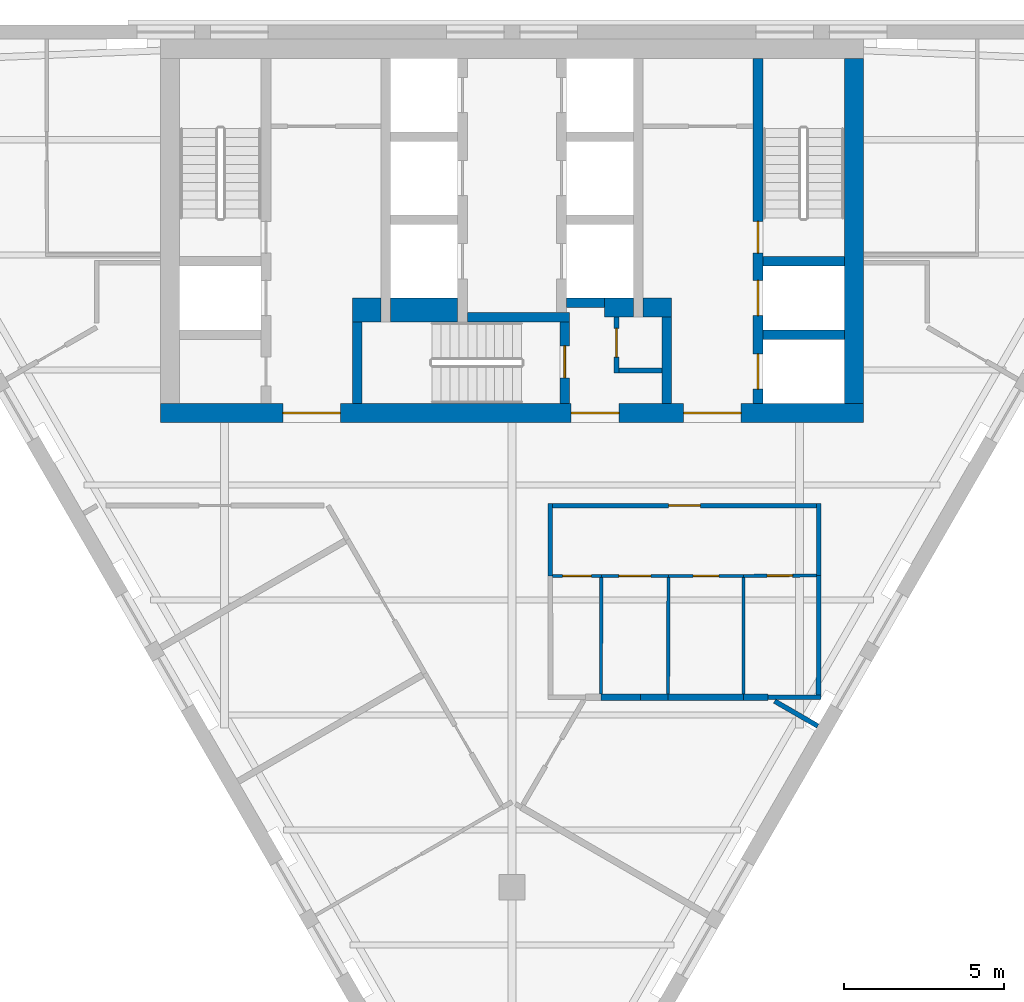
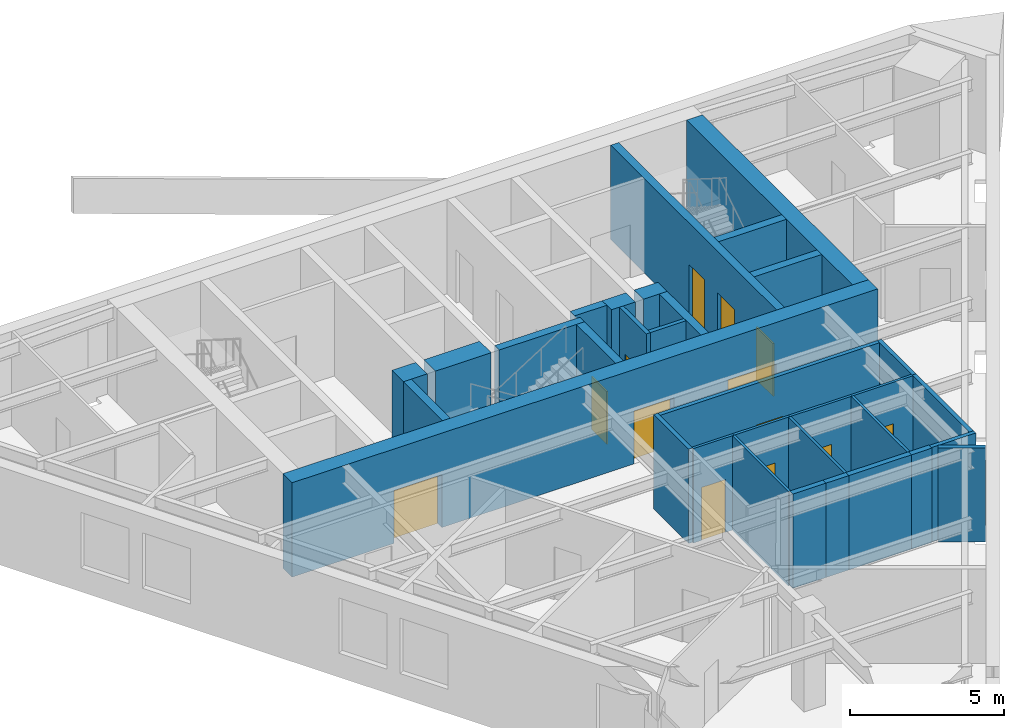
# One storey, part 3 of 6: 33 walls, 13 doors, 13 openings.
"""IFC4 building model written with IfcOpenShell, lengths in metres."""

from ifc_helpers import new_model, si_unit, direction, frame, frame_2d, origin, place, context, subcontext, project, spatial, rectangle, extrude, material, layer, layer_set, type_object, element, fill, save


model = new_model("IFC4")

# Units and contexts
model_context = context("Model", 3, precision=1e-05, world=origin(), true_north=direction((0.0, 1.0)))
body_context = subcontext(model_context, "Body", "Model", "MODEL_VIEW")
ifc_project = project(units=[si_unit("LENGTHUNIT", "METRE"), si_unit("AREAUNIT", "SQUARE_METRE"), si_unit("VOLUMEUNIT", "CUBIC_METRE"), si_unit("PLANEANGLEUNIT", "RADIAN"), si_unit("MASSUNIT", "GRAM", prefix="KILO")], contexts=[model_context])

# Site, building, storey
site_placement = place(None, origin())
site = spatial("IfcSite", under=ifc_project, at=site_placement, CompositionType="ELEMENT")
building_placement = place(site_placement, origin())
building = spatial("IfcBuilding", under=site, at=building_placement, Name="Aloe Facet Convention Tower", CompositionType="ELEMENT")
storey_placement = place(building_placement, frame((0.0, 0.0, 184.10009765625)))
storey = spatial("IfcBuildingStorey", under=building, at=storey_placement, Name="L46", CompositionType="ELEMENT", Elevation=184.10009765625)

# Wall, opening, door
ifc_material_1 = material(Name="Concrete blockwork partition", Category="masonry")
ifc_layer_1 = layer(ifc_material_1, 0.14990234375)
ifc_layer_set_1 = layer_set([ifc_layer_1], Name="CR-W-PART150")
wall_type_1 = type_object("IfcWallType", Name="CR-W-PART150", PredefinedType="PARTITIONING", material=ifc_layer_set_1)
wall_1_placement = place(storey_placement, frame((83.27490234375, 125.85009765625, 0.0), z_axis=(0.0, 0.0, 1.0), x_axis=(0.0, -1.0, 0.0)))
wall_1 = element("IfcWall", 1, at=wall_1_placement, inside=storey, type_object=wall_type_1, Name="Core partition L46-022", PredefinedType="PARTITIONING", context=body_context, shape_type="SweptSolid", body=[
    extrude(rectangle(XDim=1.75, YDim=0.14990234375, at=frame_2d((0.875, 0.0))), origin(), (0.0, 0.0, 1.0), 3.75),
])
opening_1_placement = place(wall_1_placement, frame((0.35009765625, 0.0, 0.0)))
opening_1 = element("IfcOpeningElement", 2, at=opening_1_placement, cuts=wall_1, Name="Opening L46-CD12", PredefinedType="OPENING", context=body_context, shape_type="SweptSolid", body=[
    extrude(rectangle(XDim=0.89990234375, YDim=2.10009765625, at=frame_2d((0.449951171875, 1.050048828125))), frame((0.0, 0.0849609375, 0.0), z_axis=(0.0, -1.0, 0.0), x_axis=(1.0, 0.0, 0.0)), (0.0, 0.0, 1.0), 0.169921875),
])
ifc_material_2 = material(Name="Steel fire-resisting door set FD60", Category="steel")
door_type_1 = type_object("IfcDoorType", Name="CR-D-REFUGE-900-FD60-SRIGHT", OperationType="SINGLE_SWING_RIGHT", PredefinedType="DOOR", material=ifc_material_2)
door_1_placement = place(opening_1_placement, origin())
door_1 = element("IfcDoor", 3, at=door_1_placement, inside=storey, type_object=door_type_1, Name="Core door L46-CD12", OperationType="SINGLE_SWING_RIGHT", OverallHeight=2.10009765625, OverallWidth=0.89990234375, PredefinedType="DOOR", context=body_context, shape_type="SweptSolid", body=[
    extrude(rectangle(XDim=0.89990234375, YDim=2.10009765625, at=frame_2d((0.449951171875, 1.050048828125))), frame((0.0, 0.02490234375, 0.0), z_axis=(0.0, -1.0, 0.0), x_axis=(1.0, 0.0, 0.0)), (0.0, 0.0, 1.0), 0.050048828125),
])
fill(opening_1, door_1)

# Walls
wall_2_placement = place(storey_placement, frame((83.35009765625, 124.175048828125, 0.0), z_axis=(0.0, 0.0, 1.0), x_axis=(1.0, 0.0, 0.0)))
element("IfcWall", 4, at=wall_2_placement, inside=storey, type_object=wall_type_1, Name="Core partition L46-023", PredefinedType="PARTITIONING", context=body_context, shape_type="SweptSolid", body=[
    extrude(rectangle(XDim=1.349853515625, YDim=0.14990234375, at=frame_2d((0.6748046875, 0.0))), origin(), (0.0, 0.0, 1.0), 3.75),
])
ifc_material_3 = material(Name="Concrete C50/60", Category="concrete")
ifc_layer_2 = layer(ifc_material_3, 0.300048828125)
ifc_layer_set_2 = layer_set([ifc_layer_2], Name="CR-W-RC300-C5060")
wall_type_2 = type_object("IfcWallType", Name="CR-W-RC300-C5060", PredefinedType="SOLIDWALL", material=ifc_layer_set_2)
wall_3_placement = place(storey_placement, frame((75.14990234375, 125.699951171875, 0.0), z_axis=(0.0, 0.0, 1.0), x_axis=(0.0, -1.0, 0.0)))
element("IfcWall", 5, at=wall_3_placement, inside=storey, type_object=wall_type_2, Name="Core wall L46-009", PredefinedType="SOLIDWALL", context=body_context, shape_type="SweptSolid", body=[
    extrude(rectangle(XDim=2.550048828125, YDim=0.300048828125, at=frame_2d((1.27490234375, 0.0))), origin(), (0.0, 0.0, 1.0), 3.75),
])
wall_4_placement = place(storey_placement, frame((78.60009765625, 125.85009765625, 0.0), z_axis=(0.0, 0.0, 1.0), x_axis=(1.0, 0.0, 0.0)))
element("IfcWall", 6, at=wall_4_placement, inside=storey, type_object=wall_type_2, Name="Core wall L46-015", PredefinedType="SOLIDWALL", context=body_context, shape_type="SweptSolid", body=[
    extrude(rectangle(XDim=3.199951171875, YDim=0.300048828125, at=frame_2d((1.60009765625, 0.0))), origin(), (0.0, 0.0, 1.0), 3.75),
])

# Wall, opening, door
wall_5_placement = place(storey_placement, frame((81.64990234375, 125.699951171875, 0.0), z_axis=(0.0, 0.0, 1.0), x_axis=(0.0, -1.0, 0.0)))
wall_5 = element("IfcWall", 7, at=wall_5_placement, inside=storey, type_object=wall_type_2, Name="Core wall L46-017", PredefinedType="SOLIDWALL", context=body_context, shape_type="SweptSolid", body=[
    extrude(rectangle(XDim=2.550048828125, YDim=0.300048828125, at=frame_2d((1.27490234375, 0.0))), origin(), (0.0, 0.0, 1.0), 3.75),
])
opening_2_placement = place(wall_5_placement, frame((0.75, 0.0, 0.0)))
opening_2 = element("IfcOpeningElement", 8, at=opening_2_placement, cuts=wall_5, Name="Opening L46-CD18", PredefinedType="OPENING", context=body_context, shape_type="SweptSolid", body=[
    extrude(rectangle(XDim=1.0, YDim=2.10009765625, at=frame_2d((0.5, 1.050048828125))), frame((0.0, 0.16015625, 0.0), z_axis=(0.0, -1.0, 0.0), x_axis=(1.0, 0.0, 0.0)), (0.0, 0.0, 1.0), 0.320068359375),
])
ifc_material_4 = material(Name="Steel fire-resisting door set FD120", Category="steel")
door_type_2 = type_object("IfcDoorType", Name="CR-D-STAIR-1000-FD120-SLEFT", OperationType="SINGLE_SWING_LEFT", PredefinedType="DOOR", material=ifc_material_4)
door_2_placement = place(opening_2_placement, origin())
door_2 = element("IfcDoor", 9, at=door_2_placement, inside=storey, type_object=door_type_2, Name="Core door L46-CD18", OperationType="SINGLE_SWING_LEFT", OverallHeight=2.10009765625, OverallWidth=1.0, PredefinedType="DOOR", context=body_context, shape_type="SweptSolid", body=[
    extrude(rectangle(XDim=1.0, YDim=2.10009765625, at=frame_2d((0.5, 1.050048828125))), frame((0.0, 0.02490234375, 0.0), z_axis=(0.0, -1.0, 0.0), x_axis=(1.0, 0.0, 0.0)), (0.0, 0.0, 1.0), 0.050048828125),
])
fill(opening_2, door_2)

# Walls
wall_6_placement = place(storey_placement, frame((81.699951171875, 126.300048828125, 0.0), z_axis=(0.0, 0.0, 1.0), x_axis=(1.0, 0.0, 0.0)))
element("IfcWall", 10, at=wall_6_placement, inside=storey, type_object=wall_type_2, Name="Core wall L46-020", PredefinedType="SOLIDWALL", context=body_context, shape_type="SweptSolid", body=[
    extrude(rectangle(XDim=1.199951171875, YDim=0.300048828125, at=frame_2d((0.60009765625, 0.0))), origin(), (0.0, 0.0, 1.0), 3.75),
])
wall_7_placement = place(storey_placement, frame((84.85009765625, 125.85009765625, 0.0), z_axis=(0.0, 0.0, 1.0), x_axis=(0.0, -1.0, 0.0)))
element("IfcWall", 11, at=wall_7_placement, inside=storey, type_object=wall_type_2, Name="Core wall L46-027", PredefinedType="SOLIDWALL", context=body_context, shape_type="SweptSolid", body=[
    extrude(rectangle(XDim=2.7001953125, YDim=0.300048828125, at=frame_2d((1.35009765625, 0.0))), origin(), (0.0, 0.0, 1.0), 3.75),
])

# Wall, openings, doors
wall_8_placement = place(storey_placement, frame((87.699951171875, 133.949951171875, 0.0), z_axis=(0.0, 0.0, 1.0), x_axis=(0.0, -1.0, 0.0)))
wall_8 = element("IfcWall", 12, at=wall_8_placement, inside=storey, type_object=wall_type_2, Name="Core wall L46-028", PredefinedType="SOLIDWALL", context=body_context, shape_type="SweptSolid", body=[
    extrude(rectangle(XDim=10.800048828125, YDim=0.300048828125, at=frame_2d((5.39990234375, 0.0))), origin(), (0.0, 0.0, 1.0), 3.75),
])
opening_3_placement = place(wall_8_placement, frame((6.949951171875, 0.0, 0.0)))
opening_3 = element("IfcOpeningElement", 13, at=opening_3_placement, cuts=wall_8, Name="Opening LD-FF2-L46", PredefinedType="OPENING", context=body_context, shape_type="SweptSolid", body=[
    extrude(rectangle(XDim=1.10009765625, YDim=2.10009765625, at=frame_2d((0.550048828125, 1.050048828125))), frame((0.0, 0.16015625, 0.0), z_axis=(0.0, -1.0, 0.0), x_axis=(1.0, 0.0, 0.0)), (0.0, 0.0, 1.0), 0.320068359375),
])
opening_4_placement = place(wall_8_placement, frame((5.10009765625, 0.0, 0.0)))
opening_4 = element("IfcOpeningElement", 14, at=opening_4_placement, cuts=wall_8, Name="Opening L46-CD17", PredefinedType="OPENING", context=body_context, shape_type="SweptSolid", body=[
    extrude(rectangle(XDim=1.0, YDim=2.10009765625, at=frame_2d((0.5, 1.050048828125))), frame((0.0, 0.16015625, 0.0), z_axis=(0.0, -1.0, 0.0), x_axis=(1.0, 0.0, 0.0)), (0.0, 0.0, 1.0), 0.320068359375),
])
opening_5_placement = place(wall_8_placement, frame((9.25, 0.0, 0.0)))
opening_5 = element("IfcOpeningElement", 15, at=opening_5_placement, cuts=wall_8, Name="Opening LD-SV1-L46", PredefinedType="OPENING", context=body_context, shape_type="SweptSolid", body=[
    extrude(rectangle(XDim=1.10009765625, YDim=2.10009765625, at=frame_2d((0.550048828125, 1.050048828125))), frame((0.0, 0.16015625, 0.0), z_axis=(0.0, -1.0, 0.0), x_axis=(1.0, 0.0, 0.0)), (0.0, 0.0, 1.0), 0.320068359375),
])
door_3_placement = place(opening_4_placement, origin())
door_3 = element("IfcDoor", 16, at=door_3_placement, inside=storey, type_object=door_type_2, Name="Core door L46-CD17", OperationType="SINGLE_SWING_LEFT", OverallHeight=2.10009765625, OverallWidth=1.0, PredefinedType="DOOR", context=body_context, shape_type="SweptSolid", body=[
    extrude(rectangle(XDim=1.0, YDim=2.10009765625, at=frame_2d((0.5, 1.050048828125))), frame((0.0, 0.02490234375, 0.0), z_axis=(0.0, -1.0, 0.0), x_axis=(1.0, 0.0, 0.0)), (0.0, 0.0, 1.0), 0.050048828125),
])
fill(opening_4, door_3)
ifc_material_5 = material(Name="Stainless steel sliding landing door", Category="steel")
door_type_3 = type_object("IfcDoorType", Name="CR-LD-1100-FD120-_LEFT", OperationType="SLIDING_TO_LEFT", PredefinedType="DOOR", material=ifc_material_5)
door_4_placement = place(opening_3_placement, origin())
door_4 = element("IfcDoor", 17, at=door_4_placement, inside=storey, type_object=door_type_3, Name="Landing door FF2 L46", OperationType="SLIDING_TO_LEFT", OverallHeight=2.10009765625, OverallWidth=1.10009765625, PredefinedType="DOOR", context=body_context, shape_type="SweptSolid", body=[
    extrude(rectangle(XDim=1.10009765625, YDim=2.10009765625, at=frame_2d((0.550048828125, 1.050048828125))), frame((0.0, 0.02490234375, 0.0), z_axis=(0.0, -1.0, 0.0), x_axis=(1.0, 0.0, 0.0)), (0.0, 0.0, 1.0), 0.050048828125),
])
fill(opening_3, door_4)
door_5_placement = place(opening_5_placement, origin())
door_5 = element("IfcDoor", 18, at=door_5_placement, inside=storey, type_object=door_type_3, Name="Landing door SV1 L46", OperationType="SLIDING_TO_LEFT", OverallHeight=2.10009765625, OverallWidth=1.10009765625, PredefinedType="DOOR", context=body_context, shape_type="SweptSolid", body=[
    extrude(rectangle(XDim=1.10009765625, YDim=2.10009765625, at=frame_2d((0.550048828125, 1.050048828125))), frame((0.0, 0.02490234375, 0.0), z_axis=(0.0, -1.0, 0.0), x_axis=(1.0, 0.0, 0.0)), (0.0, 0.0, 1.0), 0.050048828125),
])
fill(opening_5, door_5)

# Walls
for number, where, z_axis, x_axis, name in (
    (19, (87.85009765625, 127.60009765625, 0.0), (0.0, 0.0, 1.0), (1.0, 0.0, 0.0), "Core wall L46-029"),
    (20, (87.85009765625, 125.300048828125, 0.0), (0.0, 0.0, 1.0), (1.0, 0.0, 0.0), "Core wall L46-030"),
):
    element("IfcWall", number, at=place(storey_placement, frame(where, z_axis=z_axis, x_axis=x_axis)), inside=storey, type_object=wall_type_2, Name=name, PredefinedType="SOLIDWALL", context=body_context, shape_type="SweptSolid", body=[
        extrude(rectangle(XDim=2.5498046875, YDim=0.300048828125, at=frame_2d((1.27490234375, 0.0))), origin(), (0.0, 0.0, 1.0), 3.75),
    ])

# Wall, openings, doors
ifc_material_6 = material(Name="Concrete C50/60", Category="concrete")
ifc_layer_3 = layer(ifc_material_6, 0.60009765625)
ifc_layer_set_3 = layer_set([ifc_layer_3], Name="CR-W-RC600-C5060")
wall_type_3 = type_object("IfcWallType", Name="CR-W-RC600-C5060", PredefinedType="SOLIDWALL", material=ifc_layer_set_3)
wall_9_placement = place(storey_placement, frame((69.0, 122.85009765625, 0.0), z_axis=(0.0, 0.0, 1.0), x_axis=(1.0, 0.0, 0.0)))
wall_9 = element("IfcWall", 21, at=wall_9_placement, inside=storey, type_object=wall_type_3, Name="Core wall L46-003", PredefinedType="SOLIDWALL", context=body_context, shape_type="SweptSolid", body=[
    extrude(rectangle(XDim=22.0, YDim=0.60009765625, at=frame_2d((11.0, 0.0))), origin(), (0.0, 0.0, 1.0), 3.75),
])
opening_6_placement = place(wall_9_placement, frame((16.375, 0.0, 0.0)))
opening_6 = element("IfcOpeningElement", 22, at=opening_6_placement, cuts=wall_9, Name="Opening L46-CD09", PredefinedType="OPENING", context=body_context, shape_type="SweptSolid", body=[
    extrude(rectangle(XDim=1.800048828125, YDim=2.10009765625, at=frame_2d((0.89990234375, 1.050048828125))), frame((0.0, 0.31005859375, 0.0), z_axis=(0.0, -1.0, 0.0), x_axis=(1.0, 0.0, 0.0)), (0.0, 0.0, 1.0), 0.6201171875),
])
opening_7_placement = place(wall_9_placement, frame((3.824951171875, 0.0, 0.0)))
opening_7 = element("IfcOpeningElement", 23, at=opening_7_placement, cuts=wall_9, Name="Opening L46-CD10", PredefinedType="OPENING", context=body_context, shape_type="SweptSolid", body=[
    extrude(rectangle(XDim=1.800048828125, YDim=2.10009765625, at=frame_2d((0.89990234375, 1.050048828125))), frame((0.0, 0.31005859375, 0.0), z_axis=(0.0, -1.0, 0.0), x_axis=(1.0, 0.0, 0.0)), (0.0, 0.0, 1.0), 0.6201171875),
])
opening_8_placement = place(wall_9_placement, frame((12.85009765625, 0.0, 0.0)))
opening_8 = element("IfcOpeningElement", 24, at=opening_8_placement, cuts=wall_9, Name="Opening L46-CD11", PredefinedType="OPENING", context=body_context, shape_type="SweptSolid", body=[
    extrude(rectangle(XDim=1.5, YDim=2.10009765625, at=frame_2d((0.75, 1.050048828125))), frame((0.0, 0.31005859375, 0.0), z_axis=(0.0, -1.0, 0.0), x_axis=(1.0, 0.0, 0.0)), (0.0, 0.0, 1.0), 0.6201171875),
])
ifc_material_7 = material(Name="Steel fire-resisting door set FD60", Category="steel")
door_type_4 = type_object("IfcDoorType", Name="CR-D-EXIT-1500-FD60-DD", OperationType="DOUBLE_DOOR_DOUBLE_SWING", PredefinedType="DOOR", material=ifc_material_7)
door_6_placement = place(opening_8_placement, origin())
door_6 = element("IfcDoor", 25, at=door_6_placement, inside=storey, type_object=door_type_4, Name="Core door L46-CD11", OperationType="DOUBLE_DOOR_DOUBLE_SWING", OverallHeight=2.10009765625, OverallWidth=1.5, PredefinedType="DOOR", context=body_context, shape_type="SweptSolid", body=[
    extrude(rectangle(XDim=1.5, YDim=2.10009765625, at=frame_2d((0.75, 1.050048828125))), frame((0.0, 0.02490234375, 0.0), z_axis=(0.0, -1.0, 0.0), x_axis=(1.0, 0.0, 0.0)), (0.0, 0.0, 1.0), 0.050048828125),
])
fill(opening_8, door_6)
ifc_material_8 = material(Name="Steel fire-resisting door set FD120", Category="steel")
door_type_5 = type_object("IfcDoorType", Name="CR-D-EXIT-1800-FD120-DD", OperationType="DOUBLE_DOOR_DOUBLE_SWING", PredefinedType="DOOR", material=ifc_material_8)
door_7_placement = place(opening_6_placement, origin())
door_7 = element("IfcDoor", 26, at=door_7_placement, inside=storey, type_object=door_type_5, Name="Core door L46-CD09", OperationType="DOUBLE_DOOR_DOUBLE_SWING", OverallHeight=2.10009765625, OverallWidth=1.800048828125, PredefinedType="DOOR", context=body_context, shape_type="SweptSolid", body=[
    extrude(rectangle(XDim=1.800048828125, YDim=2.10009765625, at=frame_2d((0.89990234375, 1.050048828125))), frame((0.0, 0.02490234375, 0.0), z_axis=(0.0, -1.0, 0.0), x_axis=(1.0, 0.0, 0.0)), (0.0, 0.0, 1.0), 0.050048828125),
])
fill(opening_6, door_7)
door_8_placement = place(opening_7_placement, origin())
door_8 = element("IfcDoor", 27, at=door_8_placement, inside=storey, type_object=door_type_5, Name="Core door L46-CD10", OperationType="DOUBLE_DOOR_DOUBLE_SWING", OverallHeight=2.10009765625, OverallWidth=1.800048828125, PredefinedType="DOOR", context=body_context, shape_type="SweptSolid", body=[
    extrude(rectangle(XDim=1.800048828125, YDim=2.10009765625, at=frame_2d((0.89990234375, 1.050048828125))), frame((0.0, 0.02490234375, 0.0), z_axis=(0.0, -1.0, 0.0), x_axis=(1.0, 0.0, 0.0)), (0.0, 0.0, 1.0), 0.050048828125),
])
fill(opening_7, door_8)

# Walls
wall_10_placement = place(storey_placement, frame((82.89990234375, 126.14990234375, 0.0), z_axis=(0.0, 0.0, 1.0), x_axis=(1.0, 0.0, 0.0)))
element("IfcWall", 28, at=wall_10_placement, inside=storey, type_object=wall_type_3, Name="Core wall L46-021", PredefinedType="SOLIDWALL", context=body_context, shape_type="SweptSolid", body=[
    extrude(rectangle(XDim=0.900146484375, YDim=0.60009765625, at=frame_2d((0.4501953125, 0.0))), origin(), (0.0, 0.0, 1.0), 3.75),
])
wall_11_placement = place(storey_placement, frame((84.10009765625, 126.14990234375, 0.0), z_axis=(0.0, 0.0, 1.0), x_axis=(1.0, 0.0, 0.0)))
element("IfcWall", 29, at=wall_11_placement, inside=storey, type_object=wall_type_3, Name="Core wall L46-026", PredefinedType="SOLIDWALL", context=body_context, shape_type="SweptSolid", body=[
    extrude(rectangle(XDim=0.89990234375, YDim=0.60009765625, at=frame_2d((0.449951171875, 0.0))), origin(), (0.0, 0.0, 1.0), 3.75),
])
wall_12_placement = place(storey_placement, frame((90.699951171875, 133.949951171875, 0.0), z_axis=(0.0, 0.0, 1.0), x_axis=(0.0, -1.0, 0.0)))
element("IfcWall", 30, at=wall_12_placement, inside=storey, type_object=wall_type_3, Name="Core wall L46-031", PredefinedType="SOLIDWALL", context=body_context, shape_type="SweptSolid", body=[
    extrude(rectangle(XDim=10.800048828125, YDim=0.60009765625, at=frame_2d((5.39990234375, 0.0))), origin(), (0.0, 0.0, 1.0), 3.75),
])
ifc_material_9 = material(Name="Concrete C50/60", Category="concrete")
ifc_layer_4 = layer(ifc_material_9, 0.75)
ifc_layer_set_4 = layer_set([ifc_layer_4], Name="CR-W-RC750-C5060")
wall_type_4 = type_object("IfcWallType", Name="CR-W-RC750-C5060", PredefinedType="SOLIDWALL", material=ifc_layer_set_4)
wall_13_placement = place(storey_placement, frame((75.0, 126.074951171875, 0.0), z_axis=(0.0, 0.0, 1.0), x_axis=(1.0, 0.0, 0.0)))
element("IfcWall", 31, at=wall_13_placement, inside=storey, type_object=wall_type_4, Name="Core wall L46-008", PredefinedType="SOLIDWALL", context=body_context, shape_type="SweptSolid", body=[
    extrude(rectangle(XDim=0.89990234375, YDim=0.75, at=frame_2d((0.449951171875, 0.0))), origin(), (0.0, 0.0, 1.0), 3.75),
])
wall_14_placement = place(storey_placement, frame((76.199951171875, 126.074951171875, 0.0), z_axis=(0.0, 0.0, 1.0), x_axis=(1.0, 0.0, 0.0)))
element("IfcWall", 32, at=wall_14_placement, inside=storey, type_object=wall_type_4, Name="Core wall L46-013", PredefinedType="SOLIDWALL", context=body_context, shape_type="SweptSolid", body=[
    extrude(rectangle(XDim=2.10009765625, YDim=0.75, at=frame_2d((1.050048828125, 0.0))), origin(), (0.0, 0.0, 1.0), 3.75),
])
ifc_material_10 = material(Name="Gypsum board partition on steel studs", Category="steel")
ifc_layer_5 = layer(ifc_material_10, 0.14990234375)
ifc_layer_set_5 = layer_set([ifc_layer_5], Name="IN-W-CORR")
wall_type_5 = type_object("IfcWallType", Name="IN-W-CORR", PredefinedType="PARTITIONING", material=ifc_layer_set_5)
wall_15_placement = place(storey_placement, frame((88.220703125, 113.830078125, 0.0), z_axis=(0.0, 0.0, 1.0), x_axis=(0.865997745606, -0.500047902311, 0.0)))
element("IfcWall", 33, at=wall_15_placement, inside=storey, type_object=wall_type_5, Name="Partition L46-W007", PredefinedType="PARTITIONING", context=body_context, shape_type="SweptSolid", body=[
    extrude(rectangle(XDim=1.558349609375, YDim=0.14990234375, at=frame_2d((0.779296875, 0.0))), origin(), (0.0, 0.0, 1.0), 3.75),
])
wall_16_placement = place(storey_placement, frame((88.0126953125, 113.949951171875, 0.0), z_axis=(0.0, 0.0, 1.0), x_axis=(1.0, 0.0, 0.0)))
element("IfcWall", 34, at=wall_16_placement, inside=storey, type_object=wall_type_5, Name="Partition L46-W015", PredefinedType="PARTITIONING", context=body_context, shape_type="SweptSolid", body=[
    extrude(rectangle(XDim=1.66015625, YDim=0.14990234375, at=frame_2d((0.830078125, 0.0))), origin(), (0.0, 0.0, 1.0), 3.75),
])
wall_17_placement = place(storey_placement, frame((89.597900390625, 114.02490234375, 0.0), z_axis=(0.0, 0.0, 1.0), x_axis=(0.000588273642, 0.999999826967, 0.0)))
element("IfcWall", 35, at=wall_17_placement, inside=storey, type_object=wall_type_5, Name="Partition L46-W016", PredefinedType="PARTITIONING", context=body_context, shape_type="SweptSolid", body=[
    extrude(rectangle(XDim=3.735107421875, YDim=0.14990234375, at=frame_2d((1.86767578125, 0.0))), origin(), (0.0, 0.0, 1.0), 3.75),
])
wall_18_placement = place(storey_placement, frame((89.60009765625, 117.760009765625, 0.0), z_axis=(0.0, 0.0, 1.0), x_axis=(0.0, 1.0, 0.0)))
element("IfcWall", 36, at=wall_18_placement, inside=storey, type_object=wall_type_5, Name="Partition L46-W019", PredefinedType="PARTITIONING", context=body_context, shape_type="SweptSolid", body=[
    extrude(rectangle(XDim=2.262939453125, YDim=0.14990234375, at=frame_2d((1.13134765625, 0.0))), origin(), (0.0, 0.0, 1.0), 3.75),
])
wall_19_placement = place(storey_placement, frame((81.199951171875, 117.75, 0.0), z_axis=(0.0, 0.0, 1.0), x_axis=(0.0, 1.0, 0.0)))
element("IfcWall", 37, at=wall_19_placement, inside=storey, type_object=wall_type_5, Name="Partition L46-W029", PredefinedType="PARTITIONING", context=body_context, shape_type="SweptSolid", body=[
    extrude(rectangle(XDim=2.27294921875, YDim=0.14990234375, at=frame_2d((1.136474609375, 0.0))), origin(), (0.0, 0.0, 1.0), 3.75),
])

# Wall, opening, door
wall_20_placement = place(storey_placement, frame((81.27490234375, 119.947998046875, 0.0), z_axis=(0.0, 0.0, 1.0), x_axis=(1.0, 0.0, 0.0)))
wall_20 = element("IfcWall", 38, at=wall_20_placement, inside=storey, type_object=wall_type_5, Name="Partition L46-W032", PredefinedType="PARTITIONING", context=body_context, shape_type="SweptSolid", body=[
    extrude(rectangle(XDim=8.25, YDim=0.14990234375, at=frame_2d((4.125, 0.0))), origin(), (0.0, 0.0, 1.0), 3.75),
])
opening_9_placement = place(wall_20_placement, frame((3.625, 0.0, 0.0)))
opening_9 = element("IfcOpeningElement", 39, at=opening_9_placement, cuts=wall_20, Name="Opening L46-001", PredefinedType="OPENING", context=body_context, shape_type="SweptSolid", body=[
    extrude(rectangle(XDim=1.0, YDim=2.10009765625, at=frame_2d((0.5, 1.050048828125))), frame((0.0, 0.0849609375, 0.0), z_axis=(0.0, -1.0, 0.0), x_axis=(1.0, 0.0, 0.0)), (0.0, 0.0, 1.0), 0.169921875),
])
ifc_material_11 = material(Name="Timber door FD30S with vision panel", Category="wood")
door_type_6 = type_object("IfcDoorType", Name="IN-OFF-D-ENTRY", OperationType="SINGLE_SWING_LEFT", PredefinedType="DOOR", material=ifc_material_11)
door_9_placement = place(opening_9_placement, origin())
door_9 = element("IfcDoor", 40, at=door_9_placement, inside=storey, type_object=door_type_6, Name="Door L46-001", OperationType="SINGLE_SWING_LEFT", OverallHeight=2.10009765625, OverallWidth=1.0, PredefinedType="DOOR", context=body_context, shape_type="SweptSolid", body=[
    extrude(rectangle(XDim=1.0, YDim=2.10009765625, at=frame_2d((0.5, 1.050048828125))), frame((0.0, 0.02490234375, 0.0), z_axis=(0.0, -1.0, 0.0), x_axis=(1.0, 0.0, 0.0)), (0.0, 0.0, 1.0), 0.050048828125),
])
fill(opening_9, door_9)

# Wall
ifc_material_12 = material(Name="Gypsum board partition on steel studs", Category="steel")
ifc_layer_6 = layer(ifc_material_12, 0.10009765625)
ifc_layer_set_6 = layer_set([ifc_layer_6], Name="IN-W-PART")
wall_type_6 = type_object("IfcWallType", Name="IN-W-PART", PredefinedType="PARTITIONING", material=ifc_layer_set_6)
wall_21_placement = place(storey_placement, frame((82.786376953125, 114.050048828125, 0.0), z_axis=(0.0, 0.0, 1.0), x_axis=(0.002608686776, 0.999996597371, 0.0)))
element("IfcWall", 41, at=wall_21_placement, inside=storey, type_object=wall_type_6, Name="Partition L46-W020", PredefinedType="PARTITIONING", context=body_context, shape_type="SweptSolid", body=[
    extrude(rectangle(XDim=3.64990234375, YDim=0.10009765625, at=frame_2d((1.824951171875, 0.0))), origin(), (0.0, 0.0, 1.0), 3.75),
])

# Wall, opening, door
wall_22_placement = place(storey_placement, frame((81.27490234375, 117.75, 0.0), z_axis=(0.0, 0.0, 1.0), x_axis=(1.0, 0.0, 0.0)))
wall_22 = element("IfcWall", 42, at=wall_22_placement, inside=storey, type_object=wall_type_6, Name="Partition L46-W021", PredefinedType="PARTITIONING", context=body_context, shape_type="SweptSolid", body=[
    extrude(rectangle(XDim=1.52099609375, YDim=0.10009765625, at=frame_2d((0.760498046875, 0.0))), origin(), (0.0, 0.0, 1.0), 3.75),
])
opening_10_placement = place(wall_22_placement, frame((0.310546875, 0.0, 0.0)))
opening_10 = element("IfcOpeningElement", 43, at=opening_10_placement, cuts=wall_22, Name="Opening L46-002", PredefinedType="OPENING", context=body_context, shape_type="SweptSolid", body=[
    extrude(rectangle(XDim=0.89990234375, YDim=2.10009765625, at=frame_2d((0.449951171875, 1.050048828125))), frame((0.0, 0.06005859375, 0.0), z_axis=(0.0, -1.0, 0.0), x_axis=(1.0, 0.0, 0.0)), (0.0, 0.0, 1.0), 0.1201171875),
])
ifc_material_13 = material(Name="Timber door", Category="wood")
door_type_7 = type_object("IfcDoorType", Name="IN-OFF-D-ROOM", OperationType="SINGLE_SWING_LEFT", PredefinedType="DOOR", material=ifc_material_13)
door_10_placement = place(opening_10_placement, origin())
door_10 = element("IfcDoor", 44, at=door_10_placement, inside=storey, type_object=door_type_7, Name="Door L46-002", OperationType="SINGLE_SWING_LEFT", OverallHeight=2.10009765625, OverallWidth=0.89990234375, PredefinedType="DOOR", context=body_context, shape_type="SweptSolid", body=[
    extrude(rectangle(XDim=0.89990234375, YDim=2.10009765625, at=frame_2d((0.449951171875, 1.050048828125))), frame((0.0, 0.02490234375, 0.0), z_axis=(0.0, -1.0, 0.0), x_axis=(1.0, 0.0, 0.0)), (0.0, 0.0, 1.0), 0.050048828125),
])
fill(opening_10, door_10)

# Wall
wall_23_placement = place(storey_placement, frame((84.88623046875, 114.047119140625, 0.0), z_axis=(0.0, 0.0, 1.0), x_axis=(0.00260659454, 0.999996602827, 0.0)))
element("IfcWall", 45, at=wall_23_placement, inside=storey, type_object=wall_type_6, Name="Partition L46-W022", PredefinedType="PARTITIONING", context=body_context, shape_type="SweptSolid", body=[
    extrude(rectangle(XDim=3.65283203125, YDim=0.10009765625, at=frame_2d((1.826416015625, 0.0))), origin(), (0.0, 0.0, 1.0), 3.75),
])

# Wall, opening, door
wall_24_placement = place(storey_placement, frame((82.7958984375, 117.75, 0.0), z_axis=(0.0, 0.0, 1.0), x_axis=(1.0, 0.0, 0.0)))
wall_24 = element("IfcWall", 46, at=wall_24_placement, inside=storey, type_object=wall_type_6, Name="Partition L46-W023", PredefinedType="PARTITIONING", context=body_context, shape_type="SweptSolid", body=[
    extrude(rectangle(XDim=2.10009765625, YDim=0.10009765625, at=frame_2d((1.050048828125, 0.0))), origin(), (0.0, 0.0, 1.0), 3.75),
])
opening_11_placement = place(wall_24_placement, frame((0.550048828125, 0.0, 0.0)))
opening_11 = element("IfcOpeningElement", 47, at=opening_11_placement, cuts=wall_24, Name="Opening L46-003", PredefinedType="OPENING", context=body_context, shape_type="SweptSolid", body=[
    extrude(rectangle(XDim=1.0, YDim=2.10009765625, at=frame_2d((0.5, 1.050048828125))), frame((0.0, 0.06005859375, 0.0), z_axis=(0.0, -1.0, 0.0), x_axis=(1.0, 0.0, 0.0)), (0.0, 0.0, 1.0), 0.1201171875),
])
ifc_material_14 = material(Name="Timber door", Category="wood")
door_type_8 = type_object("IfcDoorType", Name="IN-OFF-D-WIDE", OperationType="SINGLE_SWING_LEFT", PredefinedType="DOOR", material=ifc_material_14)
door_11_placement = place(opening_11_placement, origin())
door_11 = element("IfcDoor", 48, at=door_11_placement, inside=storey, type_object=door_type_8, Name="Door L46-003", OperationType="SINGLE_SWING_LEFT", OverallHeight=2.10009765625, OverallWidth=1.0, PredefinedType="DOOR", context=body_context, shape_type="SweptSolid", body=[
    extrude(rectangle(XDim=1.0, YDim=2.10009765625, at=frame_2d((0.5, 1.050048828125))), frame((0.0, 0.02490234375, 0.0), z_axis=(0.0, -1.0, 0.0), x_axis=(1.0, 0.0, 0.0)), (0.0, 0.0, 1.0), 0.050048828125),
])
fill(opening_11, door_11)

# Wall
wall_25_placement = place(storey_placement, frame((87.248046875, 114.047119140625, 0.0), z_axis=(0.0, 0.0, 1.0), x_axis=(0.0, 1.0, 0.0)))
element("IfcWall", 49, at=wall_25_placement, inside=storey, type_object=wall_type_6, Name="Partition L46-W024", PredefinedType="PARTITIONING", context=body_context, shape_type="SweptSolid", body=[
    extrude(rectangle(XDim=3.65283203125, YDim=0.10009765625, at=frame_2d((1.826416015625, 0.0))), origin(), (0.0, 0.0, 1.0), 3.75),
])

# Wall, opening, door
wall_26_placement = place(storey_placement, frame((84.89599609375, 117.75, 0.0), z_axis=(0.0, 0.0, 1.0), x_axis=(1.0, 0.0, 0.0)))
wall_26 = element("IfcWall", 50, at=wall_26_placement, inside=storey, type_object=wall_type_6, Name="Partition L46-W025", PredefinedType="PARTITIONING", context=body_context, shape_type="SweptSolid", body=[
    extrude(rectangle(XDim=2.35205078125, YDim=0.10009765625, at=frame_2d((1.176025390625, 0.0))), origin(), (0.0, 0.0, 1.0), 3.75),
])
opening_12_placement = place(wall_26_placement, frame((0.77587890625, 0.0, 0.0)))
opening_12 = element("IfcOpeningElement", 51, at=opening_12_placement, cuts=wall_26, Name="Opening L46-004", PredefinedType="OPENING", context=body_context, shape_type="SweptSolid", body=[
    extrude(rectangle(XDim=0.800048828125, YDim=2.10009765625, at=frame_2d((0.39990234375, 1.050048828125))), frame((0.0, 0.06005859375, 0.0), z_axis=(0.0, -1.0, 0.0), x_axis=(1.0, 0.0, 0.0)), (0.0, 0.0, 1.0), 0.1201171875),
])
ifc_material_15 = material(Name="Timber door", Category="wood")
door_type_9 = type_object("IfcDoorType", Name="IN-OFF-D-WC", OperationType="SINGLE_SWING_LEFT", PredefinedType="DOOR", material=ifc_material_15)
door_12_placement = place(opening_12_placement, origin())
door_12 = element("IfcDoor", 52, at=door_12_placement, inside=storey, type_object=door_type_9, Name="Door L46-004", OperationType="SINGLE_SWING_LEFT", OverallHeight=2.10009765625, OverallWidth=0.800048828125, PredefinedType="DOOR", context=body_context, shape_type="SweptSolid", body=[
    extrude(rectangle(XDim=0.800048828125, YDim=2.10009765625, at=frame_2d((0.39990234375, 1.050048828125))), frame((0.0, 0.02490234375, 0.0), z_axis=(0.0, -1.0, 0.0), x_axis=(1.0, 0.0, 0.0)), (0.0, 0.0, 1.0), 0.050048828125),
])
fill(opening_12, door_12)

wall_27_placement = place(storey_placement, frame((87.248046875, 117.75, 0.0), z_axis=(0.0, 0.0, 1.0), x_axis=(0.999990802005, 0.00428904483, 0.0)))
wall_27 = element("IfcWall", 53, at=wall_27_placement, inside=storey, type_object=wall_type_6, Name="Partition L46-W026", PredefinedType="PARTITIONING", context=body_context, shape_type="SweptSolid", body=[
    extrude(rectangle(XDim=2.27685546875, YDim=0.10009765625, at=frame_2d((1.138427734375, 0.0))), origin(), (0.0, 0.0, 1.0), 3.75),
])
opening_13_placement = place(wall_27_placement, frame((0.738525390625, 0.0, 0.0)))
opening_13 = element("IfcOpeningElement", 54, at=opening_13_placement, cuts=wall_27, Name="Opening L46-005", PredefinedType="OPENING", context=body_context, shape_type="SweptSolid", body=[
    extrude(rectangle(XDim=0.800048828125, YDim=2.10009765625, at=frame_2d((0.39990234375, 1.050048828125))), frame((0.0, 0.06005859375, 0.0), z_axis=(0.0, -1.0, 0.0), x_axis=(1.0, 0.0, 0.0)), (0.0, 0.0, 1.0), 0.1201171875),
])
door_13_placement = place(opening_13_placement, origin())
door_13 = element("IfcDoor", 55, at=door_13_placement, inside=storey, type_object=door_type_9, Name="Door L46-005", OperationType="SINGLE_SWING_LEFT", OverallHeight=2.10009765625, OverallWidth=0.800048828125, PredefinedType="DOOR", context=body_context, shape_type="SweptSolid", body=[
    extrude(rectangle(XDim=0.800048828125, YDim=2.10009765625, at=frame_2d((0.39990234375, 1.050048828125))), frame((0.0, 0.02490234375, 0.0), z_axis=(0.0, -1.0, 0.0), x_axis=(1.0, 0.0, 0.0)), (0.0, 0.0, 1.0), 0.050048828125),
])
fill(opening_13, door_13)

# Walls
ifc_material_16 = material(Name="Gypsum board partition on steel studs", Category="steel")
ifc_layer_7 = layer(ifc_material_16, 0.199951171875)
ifc_layer_set_7 = layer_set([ifc_layer_7], Name="IN-W-PARTY")
wall_type_7 = type_object("IfcWallType", Name="IN-W-PARTY", PredefinedType="PARTITIONING", material=ifc_layer_set_7)
wall_28_placement = place(storey_placement, frame((84.02392578125, 113.947021484375, 0.0), z_axis=(0.0, 0.0, 1.0), x_axis=(1.0, 0.0, 0.0)))
element("IfcWall", 56, at=wall_28_placement, inside=storey, type_object=wall_type_7, Name="Partition L46-W008", PredefinedType="PARTITIONING", context=body_context, shape_type="SweptSolid", body=[
    extrude(rectangle(XDim=0.862060546875, YDim=0.199951171875, at=frame_2d((0.43115234375, 0.0))), origin(), (0.0, 0.0, 1.0), 3.75),
])
wall_29_placement = place(storey_placement, frame((84.885986328125, 113.947021484375, 0.0), z_axis=(0.0, 0.0, 1.0), x_axis=(1.0, 0.0, 0.0)))
element("IfcWall", 57, at=wall_29_placement, inside=storey, type_object=wall_type_7, Name="Partition L46-W009", PredefinedType="PARTITIONING", context=body_context, shape_type="SweptSolid", body=[
    extrude(rectangle(XDim=2.362060546875, YDim=0.199951171875, at=frame_2d((1.18115234375, 0.0))), origin(), (0.0, 0.0, 1.0), 3.75),
])
wall_30_placement = place(storey_placement, frame((87.248046875, 113.947021484375, 0.0), z_axis=(0.0, 0.0, 1.0), x_axis=(0.9999926602, 0.003831389503, 0.0)))
element("IfcWall", 58, at=wall_30_placement, inside=storey, type_object=wall_type_7, Name="Partition L46-W010", PredefinedType="PARTITIONING", context=body_context, shape_type="SweptSolid", body=[
    extrude(rectangle(XDim=0.7646484375, YDim=0.199951171875, at=frame_2d((0.38232421875, 0.0))), origin(), (0.0, 0.0, 1.0), 3.75),
])
wall_31_placement = place(storey_placement, frame((82.785888671875, 113.949951171875, 0.0), z_axis=(0.0, 0.0, 1.0), x_axis=(0.999997200094, -0.002366390535, 0.0)))
element("IfcWall", 59, at=wall_31_placement, inside=storey, type_object=wall_type_7, Name="Partition L46-W014", PredefinedType="PARTITIONING", context=body_context, shape_type="SweptSolid", body=[
    extrude(rectangle(XDim=1.238037109375, YDim=0.199951171875, at=frame_2d((0.619140625, 0.0))), origin(), (0.0, 0.0, 1.0), 3.75),
])

save(model, "model.ifc")
